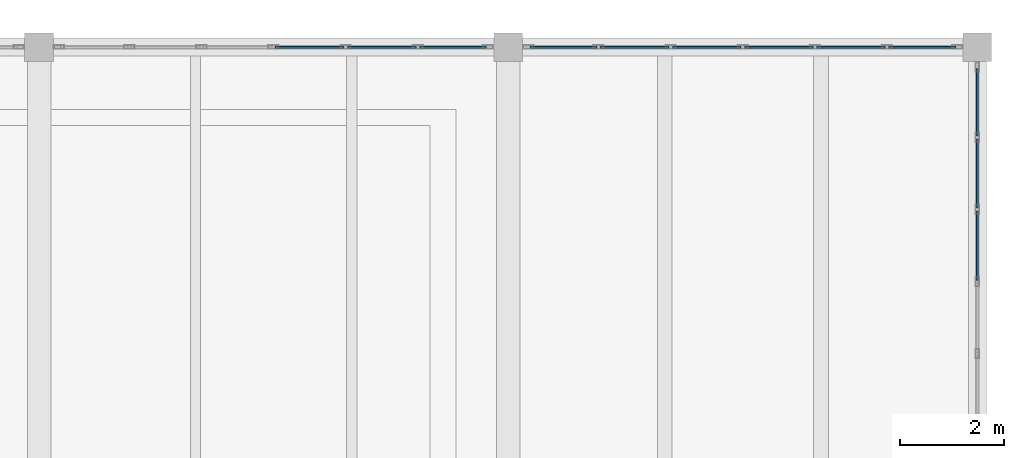
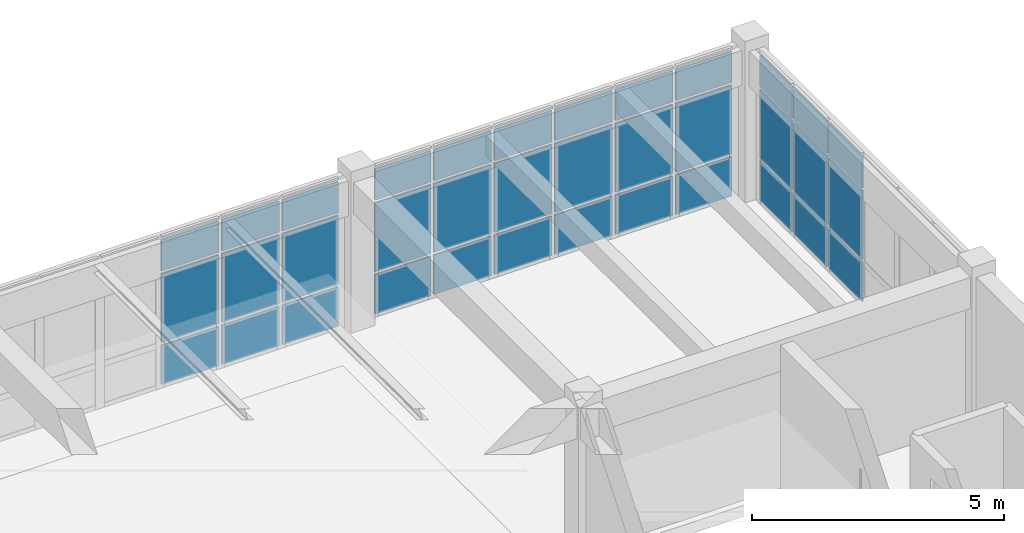
# One storey, part 123 of 156: 36 plates, 3 elements without a shape of their own.
"""IFC4 building model written with IfcOpenShell, lengths in metres."""

from ifc_helpers import new_model, si_unit, direction, frame, origin, origin_2d, place, context, subcontext, project, spatial, rectangle, extrude, material, layer, layer_set, type_object, element, aggregate, save


model = new_model("IFC4")

# Units and contexts
model_context = context("Model", 3, precision=1e-05, world=origin(), true_north=direction((0.0, 1.0)))
body_context = subcontext(model_context, "Body", "Model", "MODEL_VIEW")
ifc_project = project(units=[si_unit("LENGTHUNIT", "METRE"), si_unit("AREAUNIT", "SQUARE_METRE"), si_unit("VOLUMEUNIT", "CUBIC_METRE"), si_unit("PLANEANGLEUNIT", "RADIAN"), si_unit("MASSUNIT", "GRAM", prefix="KILO")], contexts=[model_context])

# Site, building, storey
site_placement = place(None, origin())
site = spatial("IfcSite", under=ifc_project, at=site_placement, CompositionType="ELEMENT")
building_placement = place(site_placement, origin())
building = spatial("IfcBuilding", under=site, at=building_placement, Name="Ornek Quay Market", CompositionType="ELEMENT")
storey_placement = place(building_placement, frame((0.0, 0.0, 4.5)))
storey = spatial("IfcBuildingStorey", under=building, at=storey_placement, Name="L01", CompositionType="ELEMENT", Elevation=4.5)

# Curtain wall, plates
ifc_material_1 = material(Name="Anodised bronze aluminium and triple low-e glass", Category="aluminium")
ifc_layer_1 = layer(ifc_material_1, 0.18994140625, Name="Anodised bronze aluminium and triple low-e glass", Category="aluminium")
ifc_layer_set_1 = layer_set([ifc_layer_1], Name="Anodised bronze aluminium and triple low-e glass")
curtain_wall_type = type_object("IfcCurtainWallType", Name="CW-FC-MOD1500", PredefinedType="USERDEFINED", material=ifc_layer_set_1)
curtain_wall_1_placement = place(storey_placement, origin())
curtain_wall_1 = element("IfcCurtainWall", 1, at=curtain_wall_1_placement, inside=storey, type_object=curtain_wall_type, Name="Curtain wall CW-084", ObjectType="CURTAIN WALL", PredefinedType="USERDEFINED")
ifc_material_2 = material(Name="Triple insulated low-e glass", Category="glass")
ifc_layer_2 = layer(ifc_material_2, 0.035888671875, Name="Triple insulated low-e glass", Category="glass")
ifc_layer_set_2 = layer_set([ifc_layer_2], Name="Triple insulated low-e glass")
plate_type = type_object("IfcPlateType", Name="PL-CW-TRIPLE-36", PredefinedType="CURTAIN_PANEL", material=ifc_layer_set_2)
plate_1_placement = place(storey_placement, frame((167.191650390625, 110.0, 0.06494140625), z_axis=(0.0, 0.0, 1.0), x_axis=(1.0, 0.0, 0.0)))
plate_1 = element("IfcPlate", 2, at=plate_1_placement, type_object=plate_type, Name="CW-084 panel 4.1", PredefinedType="CURTAIN_PANEL", context=body_context, shape_type="SweptSolid", body=[
    extrude(rectangle(XDim=1.313232421875, YDim=0.035888671875, at=origin_2d()), origin(), (0.0, 0.0, 1.0), 0.952392578125),
])
plate_2_placement = place(storey_placement, frame((167.191650390625, 110.0, 1.08251953125), z_axis=(0.0, 0.0, 1.0), x_axis=(1.0, 0.0, 0.0)))
plate_2 = element("IfcPlate", 3, at=plate_2_placement, type_object=plate_type, Name="CW-084 panel 4.2", PredefinedType="CURTAIN_PANEL", context=body_context, shape_type="SweptSolid", body=[
    extrude(rectangle(XDim=1.313232421875, YDim=0.035888671875, at=origin_2d()), origin(), (0.0, 0.0, 1.0), 1.6650390625),
])
plate_3_placement = place(storey_placement, frame((167.191650390625, 110.0, 2.8125), z_axis=(0.0, 0.0, 1.0), x_axis=(1.0, 0.0, 0.0)))
plate_3 = element("IfcPlate", 4, at=plate_3_placement, type_object=plate_type, Name="CW-084 panel 4.3", PredefinedType="CURTAIN_PANEL", context=body_context, shape_type="SweptSolid", body=[
    extrude(rectangle(XDim=1.313232421875, YDim=0.035888671875, at=origin_2d()), origin(), (0.0, 0.0, 1.0), 0.75244140625),
])
plate_4_placement = place(storey_placement, frame((168.574951171875, 110.0, 0.06494140625), z_axis=(0.0, 0.0, 1.0), x_axis=(1.0, 0.0, 0.0)))
plate_4 = element("IfcPlate", 5, at=plate_4_placement, type_object=plate_type, Name="CW-084 panel 5.1", PredefinedType="CURTAIN_PANEL", context=body_context, shape_type="SweptSolid", body=[
    extrude(rectangle(XDim=1.313232421875, YDim=0.035888671875, at=origin_2d()), origin(), (0.0, 0.0, 1.0), 0.952392578125),
])
plate_5_placement = place(storey_placement, frame((168.574951171875, 110.0, 1.08251953125), z_axis=(0.0, 0.0, 1.0), x_axis=(1.0, 0.0, 0.0)))
plate_5 = element("IfcPlate", 6, at=plate_5_placement, type_object=plate_type, Name="CW-084 panel 5.2", PredefinedType="CURTAIN_PANEL", context=body_context, shape_type="SweptSolid", body=[
    extrude(rectangle(XDim=1.313232421875, YDim=0.035888671875, at=origin_2d()), origin(), (0.0, 0.0, 1.0), 1.6650390625),
])
plate_6_placement = place(storey_placement, frame((168.574951171875, 110.0, 2.8125), z_axis=(0.0, 0.0, 1.0), x_axis=(1.0, 0.0, 0.0)))
plate_6 = element("IfcPlate", 7, at=plate_6_placement, type_object=plate_type, Name="CW-084 panel 5.3", PredefinedType="CURTAIN_PANEL", context=body_context, shape_type="SweptSolid", body=[
    extrude(rectangle(XDim=1.313232421875, YDim=0.035888671875, at=origin_2d()), origin(), (0.0, 0.0, 1.0), 0.75244140625),
])
plate_7_placement = place(storey_placement, frame((169.94091796875, 110.0, 0.06494140625), z_axis=(0.0, 0.0, 1.0), x_axis=(1.0, 0.0, 0.0)))
plate_7 = element("IfcPlate", 8, at=plate_7_placement, type_object=plate_type, Name="CW-084 panel 6.1", PredefinedType="CURTAIN_PANEL", context=body_context, shape_type="SweptSolid", body=[
    extrude(rectangle(XDim=1.2783203125, YDim=0.035888671875, at=origin_2d()), origin(), (0.0, 0.0, 1.0), 0.952392578125),
])
plate_8_placement = place(storey_placement, frame((169.94091796875, 110.0, 1.08251953125), z_axis=(0.0, 0.0, 1.0), x_axis=(1.0, 0.0, 0.0)))
plate_8 = element("IfcPlate", 9, at=plate_8_placement, type_object=plate_type, Name="CW-084 panel 6.2", PredefinedType="CURTAIN_PANEL", context=body_context, shape_type="SweptSolid", body=[
    extrude(rectangle(XDim=1.2783203125, YDim=0.035888671875, at=origin_2d()), origin(), (0.0, 0.0, 1.0), 1.6650390625),
])
plate_9_placement = place(storey_placement, frame((169.94091796875, 110.0, 2.8125), z_axis=(0.0, 0.0, 1.0), x_axis=(1.0, 0.0, 0.0)))
plate_9 = element("IfcPlate", 10, at=plate_9_placement, type_object=plate_type, Name="CW-084 panel 6.3", PredefinedType="CURTAIN_PANEL", context=body_context, shape_type="SweptSolid", body=[
    extrude(rectangle(XDim=1.2783203125, YDim=0.035888671875, at=origin_2d()), origin(), (0.0, 0.0, 1.0), 0.75244140625),
])
aggregate(curtain_wall_1, [plate_1, plate_2, plate_3, plate_4, plate_5, plate_6, plate_7, plate_8, plate_9])

curtain_wall_2_placement = place(storey_placement, origin())
curtain_wall_2 = element("IfcCurtainWall", 11, at=curtain_wall_2_placement, inside=storey, type_object=curtain_wall_type, Name="Curtain wall CW-085", ObjectType="CURTAIN WALL", PredefinedType="USERDEFINED")
plate_10_placement = place(storey_placement, frame((172.05908203125, 110.0, 0.06494140625), z_axis=(0.0, 0.0, 1.0), x_axis=(1.0, 0.0, 0.0)))
plate_10 = element("IfcPlate", 12, at=plate_10_placement, type_object=plate_type, Name="CW-085 panel 1.1", PredefinedType="CURTAIN_PANEL", context=body_context, shape_type="SweptSolid", body=[
    extrude(rectangle(XDim=1.2783203125, YDim=0.035888671875, at=origin_2d()), origin(), (0.0, 0.0, 1.0), 0.952392578125),
])
plate_11_placement = place(storey_placement, frame((172.05908203125, 110.0, 1.08251953125), z_axis=(0.0, 0.0, 1.0), x_axis=(1.0, 0.0, 0.0)))
plate_11 = element("IfcPlate", 13, at=plate_11_placement, type_object=plate_type, Name="CW-085 panel 1.2", PredefinedType="CURTAIN_PANEL", context=body_context, shape_type="SweptSolid", body=[
    extrude(rectangle(XDim=1.2783203125, YDim=0.035888671875, at=origin_2d()), origin(), (0.0, 0.0, 1.0), 1.6650390625),
])
plate_12_placement = place(storey_placement, frame((172.05908203125, 110.0, 2.8125), z_axis=(0.0, 0.0, 1.0), x_axis=(1.0, 0.0, 0.0)))
plate_12 = element("IfcPlate", 14, at=plate_12_placement, type_object=plate_type, Name="CW-085 panel 1.3", PredefinedType="CURTAIN_PANEL", context=body_context, shape_type="SweptSolid", body=[
    extrude(rectangle(XDim=1.2783203125, YDim=0.035888671875, at=origin_2d()), origin(), (0.0, 0.0, 1.0), 0.75244140625),
])
plate_13_placement = place(storey_placement, frame((173.425048828125, 110.0, 0.06494140625), z_axis=(0.0, 0.0, 1.0), x_axis=(1.0, 0.0, 0.0)))
plate_13 = element("IfcPlate", 15, at=plate_13_placement, type_object=plate_type, Name="CW-085 panel 2.1", PredefinedType="CURTAIN_PANEL", context=body_context, shape_type="SweptSolid", body=[
    extrude(rectangle(XDim=1.313232421875, YDim=0.035888671875, at=origin_2d()), origin(), (0.0, 0.0, 1.0), 0.952392578125),
])
plate_14_placement = place(storey_placement, frame((173.425048828125, 110.0, 1.08251953125), z_axis=(0.0, 0.0, 1.0), x_axis=(1.0, 0.0, 0.0)))
plate_14 = element("IfcPlate", 16, at=plate_14_placement, type_object=plate_type, Name="CW-085 panel 2.2", PredefinedType="CURTAIN_PANEL", context=body_context, shape_type="SweptSolid", body=[
    extrude(rectangle(XDim=1.313232421875, YDim=0.035888671875, at=origin_2d()), origin(), (0.0, 0.0, 1.0), 1.6650390625),
])
plate_15_placement = place(storey_placement, frame((173.425048828125, 110.0, 2.8125), z_axis=(0.0, 0.0, 1.0), x_axis=(1.0, 0.0, 0.0)))
plate_15 = element("IfcPlate", 17, at=plate_15_placement, type_object=plate_type, Name="CW-085 panel 2.3", PredefinedType="CURTAIN_PANEL", context=body_context, shape_type="SweptSolid", body=[
    extrude(rectangle(XDim=1.313232421875, YDim=0.035888671875, at=origin_2d()), origin(), (0.0, 0.0, 1.0), 0.75244140625),
])
plate_16_placement = place(storey_placement, frame((174.808349609375, 110.0, 0.06494140625), z_axis=(0.0, 0.0, 1.0), x_axis=(1.0, 0.0, 0.0)))
plate_16 = element("IfcPlate", 18, at=plate_16_placement, type_object=plate_type, Name="CW-085 panel 3.1", PredefinedType="CURTAIN_PANEL", context=body_context, shape_type="SweptSolid", body=[
    extrude(rectangle(XDim=1.313232421875, YDim=0.035888671875, at=origin_2d()), origin(), (0.0, 0.0, 1.0), 0.952392578125),
])
plate_17_placement = place(storey_placement, frame((174.808349609375, 110.0, 1.08251953125), z_axis=(0.0, 0.0, 1.0), x_axis=(1.0, 0.0, 0.0)))
plate_17 = element("IfcPlate", 19, at=plate_17_placement, type_object=plate_type, Name="CW-085 panel 3.2", PredefinedType="CURTAIN_PANEL", context=body_context, shape_type="SweptSolid", body=[
    extrude(rectangle(XDim=1.313232421875, YDim=0.035888671875, at=origin_2d()), origin(), (0.0, 0.0, 1.0), 1.6650390625),
])
plate_18_placement = place(storey_placement, frame((174.808349609375, 110.0, 2.8125), z_axis=(0.0, 0.0, 1.0), x_axis=(1.0, 0.0, 0.0)))
plate_18 = element("IfcPlate", 20, at=plate_18_placement, type_object=plate_type, Name="CW-085 panel 3.3", PredefinedType="CURTAIN_PANEL", context=body_context, shape_type="SweptSolid", body=[
    extrude(rectangle(XDim=1.313232421875, YDim=0.035888671875, at=origin_2d()), origin(), (0.0, 0.0, 1.0), 0.75244140625),
])
plate_19_placement = place(storey_placement, frame((176.191650390625, 110.0, 0.06494140625), z_axis=(0.0, 0.0, 1.0), x_axis=(1.0, 0.0, 0.0)))
plate_19 = element("IfcPlate", 21, at=plate_19_placement, type_object=plate_type, Name="CW-085 panel 4.1", PredefinedType="CURTAIN_PANEL", context=body_context, shape_type="SweptSolid", body=[
    extrude(rectangle(XDim=1.313232421875, YDim=0.035888671875, at=origin_2d()), origin(), (0.0, 0.0, 1.0), 0.952392578125),
])
plate_20_placement = place(storey_placement, frame((176.191650390625, 110.0, 1.08251953125), z_axis=(0.0, 0.0, 1.0), x_axis=(1.0, 0.0, 0.0)))
plate_20 = element("IfcPlate", 22, at=plate_20_placement, type_object=plate_type, Name="CW-085 panel 4.2", PredefinedType="CURTAIN_PANEL", context=body_context, shape_type="SweptSolid", body=[
    extrude(rectangle(XDim=1.313232421875, YDim=0.035888671875, at=origin_2d()), origin(), (0.0, 0.0, 1.0), 1.6650390625),
])
plate_21_placement = place(storey_placement, frame((176.191650390625, 110.0, 2.8125), z_axis=(0.0, 0.0, 1.0), x_axis=(1.0, 0.0, 0.0)))
plate_21 = element("IfcPlate", 23, at=plate_21_placement, type_object=plate_type, Name="CW-085 panel 4.3", PredefinedType="CURTAIN_PANEL", context=body_context, shape_type="SweptSolid", body=[
    extrude(rectangle(XDim=1.313232421875, YDim=0.035888671875, at=origin_2d()), origin(), (0.0, 0.0, 1.0), 0.75244140625),
])
plate_22_placement = place(storey_placement, frame((177.574951171875, 110.0, 0.06494140625), z_axis=(0.0, 0.0, 1.0), x_axis=(1.0, 0.0, 0.0)))
plate_22 = element("IfcPlate", 24, at=plate_22_placement, type_object=plate_type, Name="CW-085 panel 5.1", PredefinedType="CURTAIN_PANEL", context=body_context, shape_type="SweptSolid", body=[
    extrude(rectangle(XDim=1.313232421875, YDim=0.035888671875, at=origin_2d()), origin(), (0.0, 0.0, 1.0), 0.952392578125),
])
plate_23_placement = place(storey_placement, frame((177.574951171875, 110.0, 1.08251953125), z_axis=(0.0, 0.0, 1.0), x_axis=(1.0, 0.0, 0.0)))
plate_23 = element("IfcPlate", 25, at=plate_23_placement, type_object=plate_type, Name="CW-085 panel 5.2", PredefinedType="CURTAIN_PANEL", context=body_context, shape_type="SweptSolid", body=[
    extrude(rectangle(XDim=1.313232421875, YDim=0.035888671875, at=origin_2d()), origin(), (0.0, 0.0, 1.0), 1.6650390625),
])
plate_24_placement = place(storey_placement, frame((177.574951171875, 110.0, 2.8125), z_axis=(0.0, 0.0, 1.0), x_axis=(1.0, 0.0, 0.0)))
plate_24 = element("IfcPlate", 26, at=plate_24_placement, type_object=plate_type, Name="CW-085 panel 5.3", PredefinedType="CURTAIN_PANEL", context=body_context, shape_type="SweptSolid", body=[
    extrude(rectangle(XDim=1.313232421875, YDim=0.035888671875, at=origin_2d()), origin(), (0.0, 0.0, 1.0), 0.75244140625),
])
plate_25_placement = place(storey_placement, frame((178.94091796875, 110.0, 0.06494140625), z_axis=(0.0, 0.0, 1.0), x_axis=(1.0, 0.0, 0.0)))
plate_25 = element("IfcPlate", 27, at=plate_25_placement, type_object=plate_type, Name="CW-085 panel 6.1", PredefinedType="CURTAIN_PANEL", context=body_context, shape_type="SweptSolid", body=[
    extrude(rectangle(XDim=1.2783203125, YDim=0.035888671875, at=origin_2d()), origin(), (0.0, 0.0, 1.0), 0.952392578125),
])
plate_26_placement = place(storey_placement, frame((178.94091796875, 110.0, 1.08251953125), z_axis=(0.0, 0.0, 1.0), x_axis=(1.0, 0.0, 0.0)))
plate_26 = element("IfcPlate", 28, at=plate_26_placement, type_object=plate_type, Name="CW-085 panel 6.2", PredefinedType="CURTAIN_PANEL", context=body_context, shape_type="SweptSolid", body=[
    extrude(rectangle(XDim=1.2783203125, YDim=0.035888671875, at=origin_2d()), origin(), (0.0, 0.0, 1.0), 1.6650390625),
])
plate_27_placement = place(storey_placement, frame((178.94091796875, 110.0, 2.8125), z_axis=(0.0, 0.0, 1.0), x_axis=(1.0, 0.0, 0.0)))
plate_27 = element("IfcPlate", 29, at=plate_27_placement, type_object=plate_type, Name="CW-085 panel 6.3", PredefinedType="CURTAIN_PANEL", context=body_context, shape_type="SweptSolid", body=[
    extrude(rectangle(XDim=1.2783203125, YDim=0.035888671875, at=origin_2d()), origin(), (0.0, 0.0, 1.0), 0.75244140625),
])
aggregate(curtain_wall_2, [plate_10, plate_11, plate_12, plate_13, plate_14, plate_15, plate_16, plate_17, plate_18, plate_19, plate_20, plate_21, plate_22, plate_23, plate_24, plate_25, plate_26, plate_27])

curtain_wall_3_placement = place(storey_placement, origin())
curtain_wall_3 = element("IfcCurtainWall", 30, at=curtain_wall_3_placement, inside=storey, type_object=curtain_wall_type, Name="Curtain wall CW-087", ObjectType="CURTAIN WALL", PredefinedType="USERDEFINED")
plate_28_placement = place(storey_placement, frame((180.0, 106.191650390625, 0.06494140625), z_axis=(0.0, 0.0, 1.0), x_axis=(0.0, 1.0, 0.0)))
plate_28 = element("IfcPlate", 31, at=plate_28_placement, type_object=plate_type, Name="CW-087 panel 4.1", PredefinedType="CURTAIN_PANEL", context=body_context, shape_type="SweptSolid", body=[
    extrude(rectangle(XDim=1.318359375, YDim=0.035888671875, at=origin_2d()), origin(), (0.0, 0.0, 1.0), 0.952392578125),
])
plate_29_placement = place(storey_placement, frame((180.0, 106.191650390625, 1.08251953125), z_axis=(0.0, 0.0, 1.0), x_axis=(0.0, 1.0, 0.0)))
plate_29 = element("IfcPlate", 32, at=plate_29_placement, type_object=plate_type, Name="CW-087 panel 4.2", PredefinedType="CURTAIN_PANEL", context=body_context, shape_type="SweptSolid", body=[
    extrude(rectangle(XDim=1.318359375, YDim=0.035888671875, at=origin_2d()), origin(), (0.0, 0.0, 1.0), 1.6650390625),
])
plate_30_placement = place(storey_placement, frame((180.0, 106.191650390625, 2.8125), z_axis=(0.0, 0.0, 1.0), x_axis=(0.0, 1.0, 0.0)))
plate_30 = element("IfcPlate", 33, at=plate_30_placement, type_object=plate_type, Name="CW-087 panel 4.3", PredefinedType="CURTAIN_PANEL", context=body_context, shape_type="SweptSolid", body=[
    extrude(rectangle(XDim=1.318359375, YDim=0.035888671875, at=origin_2d()), origin(), (0.0, 0.0, 1.0), 0.75244140625),
])
plate_31_placement = place(storey_placement, frame((180.0, 107.574951171875, 0.06494140625), z_axis=(0.0, 0.0, 1.0), x_axis=(0.0, 1.0, 0.0)))
plate_31 = element("IfcPlate", 34, at=plate_31_placement, type_object=plate_type, Name="CW-087 panel 5.1", PredefinedType="CURTAIN_PANEL", context=body_context, shape_type="SweptSolid", body=[
    extrude(rectangle(XDim=1.318359375, YDim=0.035888671875, at=origin_2d()), origin(), (0.0, 0.0, 1.0), 0.952392578125),
])
plate_32_placement = place(storey_placement, frame((180.0, 107.574951171875, 1.08251953125), z_axis=(0.0, 0.0, 1.0), x_axis=(0.0, 1.0, 0.0)))
plate_32 = element("IfcPlate", 35, at=plate_32_placement, type_object=plate_type, Name="CW-087 panel 5.2", PredefinedType="CURTAIN_PANEL", context=body_context, shape_type="SweptSolid", body=[
    extrude(rectangle(XDim=1.318359375, YDim=0.035888671875, at=origin_2d()), origin(), (0.0, 0.0, 1.0), 1.6650390625),
])
plate_33_placement = place(storey_placement, frame((180.0, 107.574951171875, 2.8125), z_axis=(0.0, 0.0, 1.0), x_axis=(0.0, 1.0, 0.0)))
plate_33 = element("IfcPlate", 36, at=plate_33_placement, type_object=plate_type, Name="CW-087 panel 5.3", PredefinedType="CURTAIN_PANEL", context=body_context, shape_type="SweptSolid", body=[
    extrude(rectangle(XDim=1.318359375, YDim=0.035888671875, at=origin_2d()), origin(), (0.0, 0.0, 1.0), 0.75244140625),
])
plate_34_placement = place(storey_placement, frame((180.0, 108.942138671875, 0.06494140625), z_axis=(0.0, 0.0, 1.0), x_axis=(0.0, 1.0, 0.0)))
plate_34 = element("IfcPlate", 37, at=plate_34_placement, type_object=plate_type, Name="CW-087 panel 6.1", PredefinedType="CURTAIN_PANEL", context=body_context, shape_type="SweptSolid", body=[
    extrude(rectangle(XDim=1.285888671875, YDim=0.035888671875, at=origin_2d()), origin(), (0.0, 0.0, 1.0), 0.952392578125),
])
plate_35_placement = place(storey_placement, frame((180.0, 108.942138671875, 1.08251953125), z_axis=(0.0, 0.0, 1.0), x_axis=(0.0, 1.0, 0.0)))
plate_35 = element("IfcPlate", 38, at=plate_35_placement, type_object=plate_type, Name="CW-087 panel 6.2", PredefinedType="CURTAIN_PANEL", context=body_context, shape_type="SweptSolid", body=[
    extrude(rectangle(XDim=1.285888671875, YDim=0.035888671875, at=origin_2d()), origin(), (0.0, 0.0, 1.0), 1.6650390625),
])
plate_36_placement = place(storey_placement, frame((180.0, 108.942138671875, 2.8125), z_axis=(0.0, 0.0, 1.0), x_axis=(0.0, 1.0, 0.0)))
plate_36 = element("IfcPlate", 39, at=plate_36_placement, type_object=plate_type, Name="CW-087 panel 6.3", PredefinedType="CURTAIN_PANEL", context=body_context, shape_type="SweptSolid", body=[
    extrude(rectangle(XDim=1.285888671875, YDim=0.035888671875, at=origin_2d()), origin(), (0.0, 0.0, 1.0), 0.75244140625),
])
aggregate(curtain_wall_3, [plate_28, plate_29, plate_30, plate_31, plate_32, plate_33, plate_34, plate_35, plate_36])

save(model, "model.ifc")
